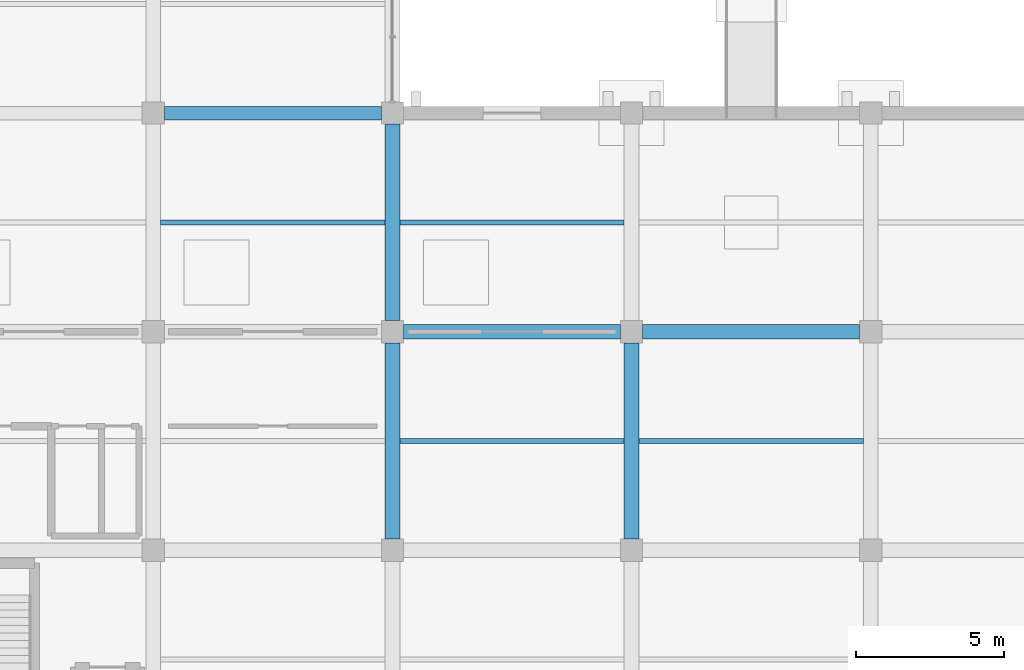
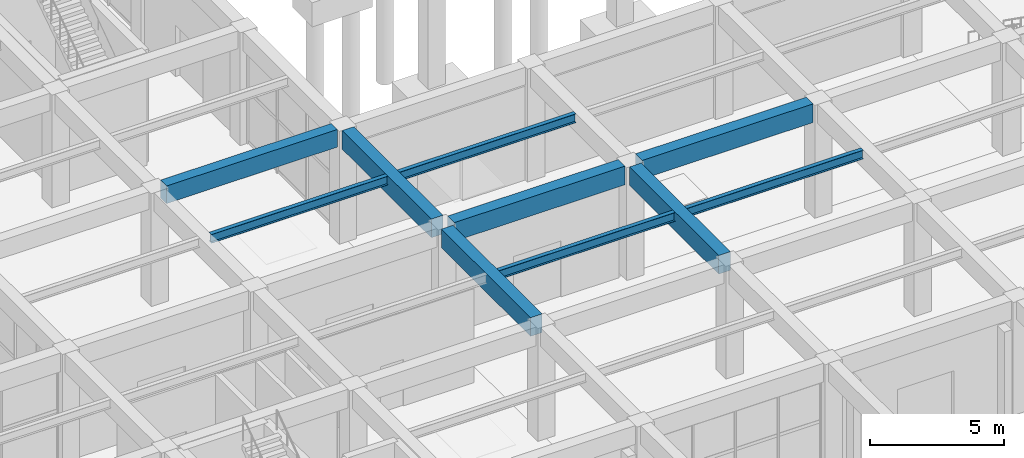
# One storey, part 19 of 140: 10 beams.
"""IFC4 building model written with IfcOpenShell, lengths in metres."""

from ifc_helpers import new_model, si_unit, direction, frame, origin, origin_2d, place, context, subcontext, project, spatial, rectangle, i_section, extrude, material, material_profile, profile_set, type_object, element, save


model = new_model("IFC4")

# Units and contexts
model_context = context("Model", 3, precision=1e-05, world=origin(), true_north=direction((0.0, 1.0)))
body_context = subcontext(model_context, "Body", "Model", "MODEL_VIEW")
ifc_project = project(units=[si_unit("LENGTHUNIT", "METRE"), si_unit("AREAUNIT", "SQUARE_METRE"), si_unit("VOLUMEUNIT", "CUBIC_METRE"), si_unit("PLANEANGLEUNIT", "RADIAN"), si_unit("MASSUNIT", "GRAM", prefix="KILO")], contexts=[model_context])

# Site, building, storey
site_placement = place(None, origin())
site = spatial("IfcSite", under=ifc_project, at=site_placement, CompositionType="ELEMENT")
building_placement = place(site_placement, origin())
building = spatial("IfcBuilding", under=site, at=building_placement, Name="Cimatlan Art Gallery", CompositionType="ELEMENT")
storey_placement = place(building_placement, origin())
storey = spatial("IfcBuildingStorey", under=building, at=storey_placement, Name="L00", CompositionType="ELEMENT", Elevation=0.0)

# Beams
ifc_material_1 = material(Name="Concrete C40/50", Category="concrete")
ifc_material_profile_1 = material_profile(ifc_material_1, rectangle(XDim=0.449951171875, YDim=0.800048828125, at=origin_2d()), Name="RC450X800")
ifc_profile_set_1 = profile_set([ifc_material_profile_1], Name="Concrete C40/50")
beam_type_1 = type_object("IfcBeamType", Name="BM-RC-450X800", PredefinedType="BEAM", material=ifc_profile_set_1)
beam_1_placement = place(storey_placement, frame((42.875, 46.10009765625, 4.735107421875), z_axis=(1.0, 0.0, 0.0), x_axis=(0.0, 1.0, 0.0)))
element("IfcBeam", 1, at=beam_1_placement, inside=storey, type_object=beam_type_1, Name="BM-X-L00-05-06", PredefinedType="BEAM", context=body_context, shape_type="SweptSolid", body=[
    extrude(rectangle(XDim=0.449951171875, YDim=0.800048828125, at=origin_2d()), origin(), (0.0, 0.0, 1.0), 7.35009765625),
])
ifc_material_profile_2 = material_profile(ifc_material_1, rectangle(XDim=0.5, YDim=0.85009765625, at=origin_2d()), Name="RC500X850")
ifc_profile_set_2 = profile_set([ifc_material_profile_2], Name="Concrete C40/50")
beam_type_2 = type_object("IfcBeamType", Name="BM-RC-500X850", PredefinedType="BEAM", material=ifc_profile_set_2)
beam_2_placement = place(storey_placement, frame((50.60009765625, 31.675048828125, 4.7099609375), z_axis=(0.0, 1.0, 0.0), x_axis=(-1.0, 0.0, 0.0)))
element("IfcBeam", 2, at=beam_2_placement, inside=storey, type_object=beam_type_2, Name="BM-Y-L00-06-04", PredefinedType="BEAM", context=body_context, shape_type="SweptSolid", body=[
    extrude(rectangle(XDim=0.5, YDim=0.85009765625, at=origin_2d()), origin(), (0.0, 0.0, 1.0), 6.64990234375),
])
beam_3_placement = place(storey_placement, frame((50.60009765625, 39.074951171875, 4.7099609375), z_axis=(0.0, 1.0, 0.0), x_axis=(-1.0, 0.0, 0.0)))
element("IfcBeam", 3, at=beam_3_placement, inside=storey, type_object=beam_type_2, Name="BM-Y-L00-06-05", PredefinedType="BEAM", context=body_context, shape_type="SweptSolid", body=[
    extrude(rectangle(XDim=0.5, YDim=0.85009765625, at=origin_2d()), origin(), (0.0, 0.0, 1.0), 6.650146484375),
])
beam_4_placement = place(storey_placement, frame((58.699951171875, 31.675048828125, 4.7099609375), z_axis=(0.0, 1.0, 0.0), x_axis=(-1.0, 0.0, 0.0)))
element("IfcBeam", 4, at=beam_4_placement, inside=storey, type_object=beam_type_2, Name="BM-Y-L00-07-04", PredefinedType="BEAM", context=body_context, shape_type="SweptSolid", body=[
    extrude(rectangle(XDim=0.5, YDim=0.85009765625, at=origin_2d()), origin(), (0.0, 0.0, 1.0), 6.64990234375),
])
beam_5_placement = place(storey_placement, frame((50.97509765625, 38.699951171875, 4.7099609375), z_axis=(1.0, 0.0, 0.0), x_axis=(0.0, 1.0, 0.0)))
element("IfcBeam", 5, at=beam_5_placement, inside=storey, type_object=beam_type_2, Name="BM-X-L00-06-05", PredefinedType="BEAM", context=body_context, shape_type="SweptSolid", body=[
    extrude(rectangle(XDim=0.5, YDim=0.85009765625, at=origin_2d()), origin(), (0.0, 0.0, 1.0), 7.349853515625),
])
beam_6_placement = place(storey_placement, frame((59.074951171875, 38.699951171875, 4.7099609375), z_axis=(1.0, 0.0, 0.0), x_axis=(0.0, 1.0, 0.0)))
element("IfcBeam", 6, at=beam_6_placement, inside=storey, type_object=beam_type_2, Name="BM-X-L00-07-05", PredefinedType="BEAM", context=body_context, shape_type="SweptSolid", body=[
    extrude(rectangle(XDim=0.5, YDim=0.85009765625, at=origin_2d()), origin(), (0.0, 0.0, 1.0), 7.35009765625),
])
ifc_material_2 = material(Name="Steel ASTM A992 Grade 50", Category="steel")
ifc_material_profile_3 = material_profile(ifc_material_2, i_section(OverallWidth=0.177978515625, OverallDepth=0.406982421875, WebThickness=0.0078125, FlangeThickness=0.0126953125, at=origin_2d()), Name="W16X40")
ifc_profile_set_3 = profile_set([ifc_material_profile_3], Name="Steel ASTM A992 Grade 50")
beam_type_3 = type_object("IfcBeamType", Name="BM-STL-W16X40", PredefinedType="JOIST", material=ifc_profile_set_3)
beam_7_placement = place(storey_placement, frame((42.75, 42.39990234375, 4.931396484375), z_axis=(1.0, 0.0, 0.0), x_axis=(0.0, 1.0, 0.0)))
element("IfcBeam", 7, at=beam_7_placement, inside=storey, type_object=beam_type_3, Name="JST-L00-05-05", PredefinedType="JOIST", context=body_context, shape_type="SweptSolid", body=[
    extrude(i_section(OverallWidth=0.177978515625, OverallDepth=0.406982421875, WebThickness=0.0078125, FlangeThickness=0.0126953125, at=origin_2d()), origin(), (0.0, 0.0, 1.0), 7.60009765625),
])
for number, where, z_axis, x_axis, name in (
    (8, (50.85009765625, 35.0, 4.931396484375), (1.0, 0.0, 0.0), (0.0, 1.0, 0.0), "JST-L00-06-04"),
    (9, (50.85009765625, 42.39990234375, 4.931396484375), (1.0, 0.0, 0.0), (0.0, 1.0, 0.0), "JST-L00-06-05"),
):
    element("IfcBeam", number, at=place(storey_placement, frame(where, z_axis=z_axis, x_axis=x_axis)), inside=storey, type_object=beam_type_3, Name=name, PredefinedType="JOIST", context=body_context, shape_type="SweptSolid", body=[
        extrude(i_section(OverallWidth=0.177978515625, OverallDepth=0.406982421875, WebThickness=0.0078125, FlangeThickness=0.0126953125, at=origin_2d()), origin(), (0.0, 0.0, 1.0), 7.599853515625),
    ])
beam_8_placement = place(storey_placement, frame((58.949951171875, 35.0, 4.931396484375), z_axis=(1.0, 0.0, 0.0), x_axis=(0.0, 1.0, 0.0)))
element("IfcBeam", 10, at=beam_8_placement, inside=storey, type_object=beam_type_3, Name="JST-L00-07-04", PredefinedType="JOIST", context=body_context, shape_type="SweptSolid", body=[
    extrude(i_section(OverallWidth=0.177978515625, OverallDepth=0.406982421875, WebThickness=0.0078125, FlangeThickness=0.0126953125, at=origin_2d()), origin(), (0.0, 0.0, 1.0), 7.60009765625),
])

save(model, "model.ifc")
